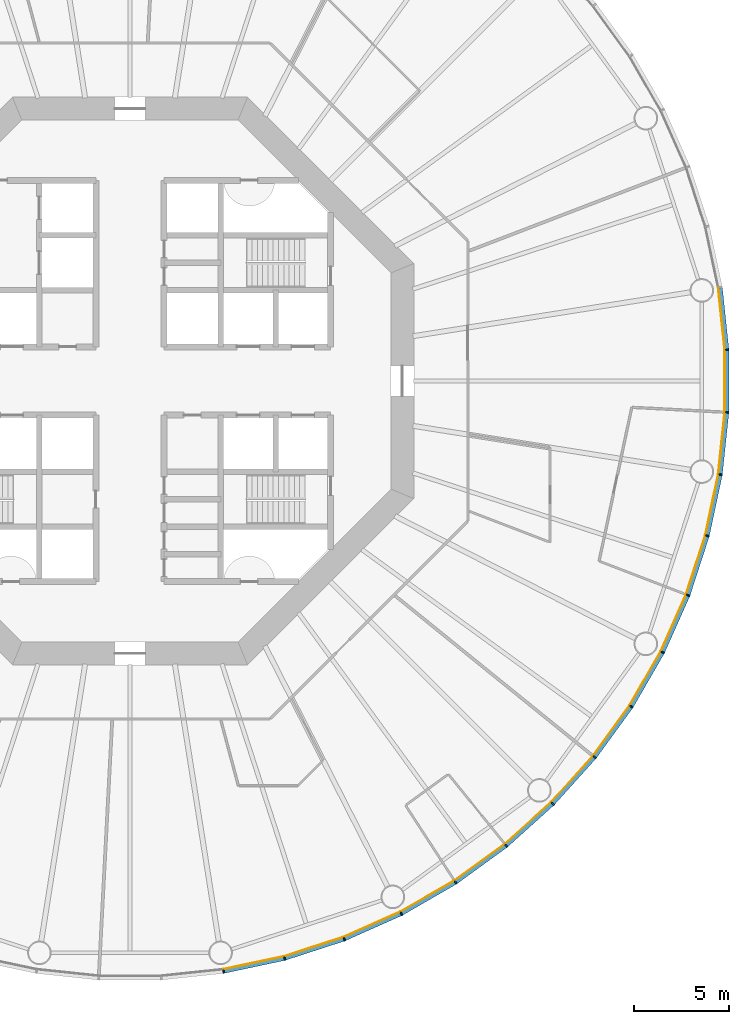
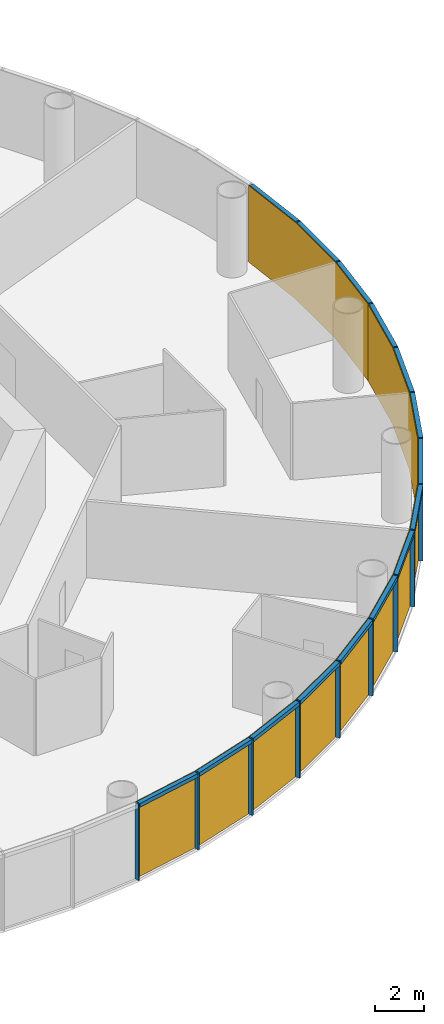
# One storey, part 9 of 13: 30 members, 5 curtain walls.
"""IFC4 building model written with IfcOpenShell, lengths in metres."""

from ifc_helpers import new_model, si_unit, direction, frame, origin, origin_2d, place, context, subcontext, project, spatial, polyline, rectangle, outline, extrude, material, layer, layer_set, material_profile, profile_set, type_object, element, aggregate, save


model = new_model("IFC4")

# Units and contexts
model_context = context("Model", 3, precision=1e-05, world=origin(), true_north=direction((0.0, 1.0)))
body_context = subcontext(model_context, "Body", "Model", "MODEL_VIEW")
ifc_project = project(units=[si_unit("LENGTHUNIT", "METRE"), si_unit("AREAUNIT", "SQUARE_METRE"), si_unit("VOLUMEUNIT", "CUBIC_METRE"), si_unit("PLANEANGLEUNIT", "RADIAN"), si_unit("MASSUNIT", "GRAM", prefix="KILO")], contexts=[model_context])

# Member
ifc_material_1 = material(Name="Anodised aluminium", Category="aluminium")
ifc_material_profile_1 = material_profile(ifc_material_1, rectangle(XDim=0.070068359375, YDim=0.199951171875, at=origin_2d()), Name="Mullion 70 x 200 mm anodised aluminium")
ifc_profile_set_1 = profile_set([ifc_material_profile_1], Name="Anodised aluminium")
member_type_1 = type_object("IfcMemberType", Name="Mullion 70 x 200 mm anodised aluminium", PredefinedType="MULLION", material=ifc_profile_set_1)
site_placement = place(None, origin())
building_placement = place(site_placement, origin())
storey_placement = place(building_placement, frame((0.0, 0.0, 84.0)))
member_1_placement = place(storey_placement, frame((94.943359375, 48.7890625, 0.0), z_axis=(0.0, 0.0, 1.0), x_axis=(0.987688340595, 0.15643446504, 0.0)))
member_1 = element("IfcMember", 1, at=member_1_placement, type_object=member_type_1, Name="MULLION L18-45", PredefinedType="MULLION", context=body_context, shape_type="SweptSolid", body=[
    extrude(rectangle(XDim=0.070068359375, YDim=0.199951171875, at=origin_2d()), origin(), (0.0, 0.0, 1.0), 3.85009765625),
])

member_2_placement = place(storey_placement, frame((98.1787109375, 49.476806640625, 0.0), z_axis=(0.0, 0.0, 1.0), x_axis=(0.965925826289, 0.258819045103, 0.0)))
member_2 = element("IfcMember", 2, at=member_2_placement, type_object=member_type_1, Name="MULLION L18-46", PredefinedType="MULLION", context=body_context, shape_type="SweptSolid", body=[
    extrude(rectangle(XDim=0.070068359375, YDim=0.199951171875, at=origin_2d()), origin(), (0.0, 0.0, 1.0), 3.85009765625),
])

member_3_placement = place(storey_placement, frame((101.324462890625, 50.498779296875, 0.0), z_axis=(0.0, 0.0, 1.0), x_axis=(0.933580426497, 0.358367949545, 0.0)))
member_3 = element("IfcMember", 3, at=member_3_placement, type_object=member_type_1, Name="MULLION L18-47", PredefinedType="MULLION", context=body_context, shape_type="SweptSolid", body=[
    extrude(rectangle(XDim=0.070068359375, YDim=0.199951171875, at=origin_2d()), origin(), (0.0, 0.0, 1.0), 3.85009765625),
])

member_4_placement = place(storey_placement, frame((104.34619140625, 51.84423828125, 0.0), z_axis=(0.0, 0.0, 1.0), x_axis=(0.891006524188, 0.45399049974, 0.0)))
member_4 = element("IfcMember", 4, at=member_4_placement, type_object=member_type_1, Name="MULLION L18-48", PredefinedType="MULLION", context=body_context, shape_type="SweptSolid", body=[
    extrude(rectangle(XDim=0.070068359375, YDim=0.199951171875, at=origin_2d()), origin(), (0.0, 0.0, 1.0), 3.85009765625),
])

member_5_placement = place(storey_placement, frame((107.210693359375, 53.498046875, 0.0), z_axis=(0.0, 0.0, 1.0), x_axis=(0.838670567945, 0.544639035015, 0.0)))
member_5 = element("IfcMember", 5, at=member_5_placement, type_object=member_type_1, Name="MULLION L18-49", PredefinedType="MULLION", context=body_context, shape_type="SweptSolid", body=[
    extrude(rectangle(XDim=0.070068359375, YDim=0.199951171875, at=origin_2d()), origin(), (0.0, 0.0, 1.0), 3.85009765625),
])

member_6_placement = place(storey_placement, frame((109.886474609375, 55.442138671875, 0.0), z_axis=(0.0, 0.0, 1.0), x_axis=(0.777145961457, 0.62932039105, 0.0)))
member_6 = element("IfcMember", 6, at=member_6_placement, type_object=member_type_1, Name="MULLION L18-50", PredefinedType="MULLION", context=body_context, shape_type="SweptSolid", body=[
    extrude(rectangle(XDim=0.070068359375, YDim=0.199951171875, at=origin_2d()), origin(), (0.0, 0.0, 1.0), 3.85009765625),
])

member_7_placement = place(storey_placement, frame((112.344482421875, 57.655517578125, 0.0), z_axis=(0.0, 0.0, 1.0), x_axis=(0.707106781187, 0.707106781187, 0.0)))
member_7 = element("IfcMember", 7, at=member_7_placement, type_object=member_type_1, Name="MULLION L18-51", PredefinedType="MULLION", context=body_context, shape_type="SweptSolid", body=[
    extrude(rectangle(XDim=0.070068359375, YDim=0.199951171875, at=origin_2d()), origin(), (0.0, 0.0, 1.0), 3.85009765625),
])

member_8_placement = place(storey_placement, frame((114.557861328125, 60.113525390625, 0.0), z_axis=(0.0, 0.0, 1.0), x_axis=(0.62932039105, 0.777145961457, 0.0)))
member_8 = element("IfcMember", 8, at=member_8_placement, type_object=member_type_1, Name="MULLION L18-52", PredefinedType="MULLION", context=body_context, shape_type="SweptSolid", body=[
    extrude(rectangle(XDim=0.070068359375, YDim=0.199951171875, at=origin_2d()), origin(), (0.0, 0.0, 1.0), 3.85009765625),
])

member_9_placement = place(storey_placement, frame((116.501953125, 62.789306640625, 0.0), z_axis=(0.0, 0.0, 1.0), x_axis=(0.544639035015, 0.838670567945, 0.0)))
member_9 = element("IfcMember", 9, at=member_9_placement, type_object=member_type_1, Name="MULLION L18-53", PredefinedType="MULLION", context=body_context, shape_type="SweptSolid", body=[
    extrude(rectangle(XDim=0.070068359375, YDim=0.199951171875, at=origin_2d()), origin(), (0.0, 0.0, 1.0), 3.85009765625),
])

member_10_placement = place(storey_placement, frame((118.15576171875, 65.65380859375, 0.0), z_axis=(0.0, 0.0, 1.0), x_axis=(0.45399049974, 0.891006524188, 0.0)))
member_10 = element("IfcMember", 10, at=member_10_placement, type_object=member_type_1, Name="MULLION L18-54", PredefinedType="MULLION", context=body_context, shape_type="SweptSolid", body=[
    extrude(rectangle(XDim=0.070068359375, YDim=0.199951171875, at=origin_2d()), origin(), (0.0, 0.0, 1.0), 3.85009765625),
])

member_11_placement = place(storey_placement, frame((119.501220703125, 68.675537109375, 0.0), z_axis=(0.0, 0.0, 1.0), x_axis=(0.358367949545, 0.933580426497, 0.0)))
member_11 = element("IfcMember", 11, at=member_11_placement, type_object=member_type_1, Name="MULLION L18-55", PredefinedType="MULLION", context=body_context, shape_type="SweptSolid", body=[
    extrude(rectangle(XDim=0.070068359375, YDim=0.199951171875, at=origin_2d()), origin(), (0.0, 0.0, 1.0), 3.85009765625),
])

member_12_placement = place(storey_placement, frame((120.523193359375, 71.8212890625, 0.0), z_axis=(0.0, 0.0, 1.0), x_axis=(0.258819045103, 0.965925826289, 0.0)))
member_12 = element("IfcMember", 12, at=member_12_placement, type_object=member_type_1, Name="MULLION L18-56", PredefinedType="MULLION", context=body_context, shape_type="SweptSolid", body=[
    extrude(rectangle(XDim=0.070068359375, YDim=0.199951171875, at=origin_2d()), origin(), (0.0, 0.0, 1.0), 3.85009765625),
])

member_13_placement = place(storey_placement, frame((121.2109375, 75.056640625, 0.0), z_axis=(0.0, 0.0, 1.0), x_axis=(0.15643446504, 0.987688340595, 0.0)))
member_13 = element("IfcMember", 13, at=member_13_placement, type_object=member_type_1, Name="MULLION L18-57", PredefinedType="MULLION", context=body_context, shape_type="SweptSolid", body=[
    extrude(rectangle(XDim=0.070068359375, YDim=0.199951171875, at=origin_2d()), origin(), (0.0, 0.0, 1.0), 3.85009765625),
])

member_14_placement = place(storey_placement, frame((121.556640625, 78.34619140625, 0.0), z_axis=(0.0, 0.0, 1.0), x_axis=(0.052335956243, 0.998629534755, 0.0)))
member_14 = element("IfcMember", 14, at=member_14_placement, type_object=member_type_1, Name="MULLION L18-58", PredefinedType="MULLION", context=body_context, shape_type="SweptSolid", body=[
    extrude(rectangle(XDim=0.070068359375, YDim=0.199951171875, at=origin_2d()), origin(), (0.0, 0.0, 1.0), 3.85009765625),
])

member_15_placement = place(storey_placement, frame((121.556640625, 81.65380859375, 0.0), z_axis=(0.0, 0.0, 1.0), x_axis=(-0.052335956243, 0.998629534755, 0.0)))
member_15 = element("IfcMember", 15, at=member_15_placement, type_object=member_type_1, Name="MULLION L18-59", PredefinedType="MULLION", context=body_context, shape_type="SweptSolid", body=[
    extrude(rectangle(XDim=0.070068359375, YDim=0.199951171875, at=origin_2d()), origin(), (0.0, 0.0, 1.0), 3.85009765625),
])

ifc_material_2 = material(Name="Anodised aluminium", Category="aluminium")
ifc_material_profile_2 = material_profile(ifc_material_2, rectangle(XDim=0.199951171875, YDim=0.18994140625, at=origin_2d()), Name="Transom 190 x 200 mm anodised aluminium")
ifc_profile_set_2 = profile_set([ifc_material_profile_2], Name="Anodised aluminium")
member_type_2 = type_object("IfcMemberType", Name="Transom 190 x 200 mm anodised aluminium", PredefinedType="USERDEFINED", material=ifc_profile_set_2)
member_16_placement = place(storey_placement, frame((94.982666015625, 48.79736328125, 3.7548828125), z_axis=(0.978153082647, 0.207885898771, 0.0), x_axis=(-0.207885898771, 0.978153082647, 0.0)))
member_16 = element("IfcMember", 16, at=member_16_placement, type_object=member_type_2, Name="TRANSOM L18-45", ObjectType="TRANSOM", PredefinedType="USERDEFINED", context=body_context, shape_type="SweptSolid", body=[
    extrude(rectangle(XDim=0.199951171875, YDim=0.18994140625, at=origin_2d()), origin(), (0.0, 0.0, 1.0), 3.227294921875),
])

member_17_placement = place(storey_placement, frame((98.217041015625, 49.489013671875, 3.7548828125), z_axis=(0.951046855117, 0.309046726844, 0.0), x_axis=(-0.309046726844, 0.951046855117, 0.0)))
member_17 = element("IfcMember", 17, at=member_17_placement, type_object=member_type_2, Name="TRANSOM L18-46", ObjectType="TRANSOM", PredefinedType="USERDEFINED", context=body_context, shape_type="SweptSolid", body=[
    extrude(rectangle(XDim=0.199951171875, YDim=0.18994140625, at=origin_2d()), origin(), (0.0, 0.0, 1.0), 3.22705078125),
])

member_18_placement = place(storey_placement, frame((101.361328125, 50.51513671875, 3.7548828125), z_axis=(0.913549291349, 0.406728032322, 0.0), x_axis=(-0.406728032322, 0.913549291349, 0.0)))
member_18 = element("IfcMember", 18, at=member_18_placement, type_object=member_type_2, Name="TRANSOM L18-47", ObjectType="TRANSOM", PredefinedType="USERDEFINED", context=body_context, shape_type="SweptSolid", body=[
    extrude(rectangle(XDim=0.199951171875, YDim=0.18994140625, at=origin_2d()), origin(), (0.0, 0.0, 1.0), 3.22705078125),
])

member_19_placement = place(storey_placement, frame((104.381103515625, 51.8642578125, 3.7548828125), z_axis=(0.866023062494, 0.500004055213, 0.0), x_axis=(-0.500004055213, 0.866023062494, 0.0)))
member_19 = element("IfcMember", 19, at=member_19_placement, type_object=member_type_2, Name="TRANSOM L18-48", ObjectType="TRANSOM", PredefinedType="USERDEFINED", context=body_context, shape_type="SweptSolid", body=[
    extrude(rectangle(XDim=0.199951171875, YDim=0.18994140625, at=origin_2d()), origin(), (0.0, 0.0, 1.0), 3.22705078125),
])

member_20_placement = place(storey_placement, frame((107.2431640625, 53.521484375, 3.7548828125), z_axis=(0.809004252048, 0.587802790201, 0.0), x_axis=(-0.587802790201, 0.809004252048, 0.0)))
member_20 = element("IfcMember", 20, at=member_20_placement, type_object=member_type_2, Name="TRANSOM L18-49", ObjectType="TRANSOM", PredefinedType="USERDEFINED", context=body_context, shape_type="SweptSolid", body=[
    extrude(rectangle(XDim=0.199951171875, YDim=0.18994140625, at=origin_2d()), origin(), (0.0, 0.0, 1.0), 3.227294921875),
])

member_21_placement = place(storey_placement, frame((109.91650390625, 55.468994140625, 3.7548828125), z_axis=(0.743132370743, 0.669144438484, 0.0), x_axis=(-0.669144438484, 0.743132370743, 0.0)))
member_21 = element("IfcMember", 21, at=member_21_placement, type_object=member_type_2, Name="TRANSOM L18-50", ObjectType="TRANSOM", PredefinedType="USERDEFINED", context=body_context, shape_type="SweptSolid", body=[
    extrude(rectangle(XDim=0.199951171875, YDim=0.18994140625, at=origin_2d()), origin(), (0.0, 0.0, 1.0), 3.22705078125),
])

member_22_placement = place(storey_placement, frame((112.37158203125, 57.685302734375, 3.7548828125), z_axis=(0.669144438484, 0.743132370743, 0.0), x_axis=(-0.743132370743, 0.669144438484, 0.0)))
member_22 = element("IfcMember", 22, at=member_22_placement, type_object=member_type_2, Name="TRANSOM L18-51", ObjectType="TRANSOM", PredefinedType="USERDEFINED", context=body_context, shape_type="SweptSolid", body=[
    extrude(rectangle(XDim=0.199951171875, YDim=0.18994140625, at=origin_2d()), origin(), (0.0, 0.0, 1.0), 3.22705078125),
])

member_23_placement = place(storey_placement, frame((114.58154296875, 60.14599609375, 3.7548828125), z_axis=(0.587802790201, 0.809004252048, 0.0), x_axis=(-0.809004252048, 0.587802790201, 0.0)))
member_23 = element("IfcMember", 23, at=member_23_placement, type_object=member_type_2, Name="TRANSOM L18-52", ObjectType="TRANSOM", PredefinedType="USERDEFINED", context=body_context, shape_type="SweptSolid", body=[
    extrude(rectangle(XDim=0.199951171875, YDim=0.18994140625, at=origin_2d()), origin(), (0.0, 0.0, 1.0), 3.227294921875),
])

member_24_placement = place(storey_placement, frame((116.522216796875, 62.82421875, 3.7548828125), z_axis=(0.500004055213, 0.866023062494, 0.0), x_axis=(-0.866023062494, 0.500004055213, 0.0)))
member_24 = element("IfcMember", 24, at=member_24_placement, type_object=member_type_2, Name="TRANSOM L18-53", ObjectType="TRANSOM", PredefinedType="USERDEFINED", context=body_context, shape_type="SweptSolid", body=[
    extrude(rectangle(XDim=0.199951171875, YDim=0.18994140625, at=origin_2d()), origin(), (0.0, 0.0, 1.0), 3.22705078125),
])

member_25_placement = place(storey_placement, frame((118.17236328125, 65.690673828125, 3.7548828125), z_axis=(0.406728032322, 0.913549291349, 0.0), x_axis=(-0.913549291349, 0.406728032322, 0.0)))
member_25 = element("IfcMember", 25, at=member_25_placement, type_object=member_type_2, Name="TRANSOM L18-54", ObjectType="TRANSOM", PredefinedType="USERDEFINED", context=body_context, shape_type="SweptSolid", body=[
    extrude(rectangle(XDim=0.199951171875, YDim=0.18994140625, at=origin_2d()), origin(), (0.0, 0.0, 1.0), 3.22705078125),
])

member_26_placement = place(storey_placement, frame((119.513671875, 68.7138671875, 3.7548828125), z_axis=(0.309046726844, 0.951046855117, 0.0), x_axis=(-0.951046855117, 0.309046726844, 0.0)))
member_26 = element("IfcMember", 26, at=member_26_placement, type_object=member_type_2, Name="TRANSOM L18-55", ObjectType="TRANSOM", PredefinedType="USERDEFINED", context=body_context, shape_type="SweptSolid", body=[
    extrude(rectangle(XDim=0.199951171875, YDim=0.18994140625, at=origin_2d()), origin(), (0.0, 0.0, 1.0), 3.22705078125),
])

member_27_placement = place(storey_placement, frame((120.53173828125, 71.860595703125, 3.7548828125), z_axis=(0.207885898771, 0.978153082647, 0.0), x_axis=(-0.978153082647, 0.207885898771, 0.0)))
member_27 = element("IfcMember", 27, at=member_27_placement, type_object=member_type_2, Name="TRANSOM L18-56", ObjectType="TRANSOM", PredefinedType="USERDEFINED", context=body_context, shape_type="SweptSolid", body=[
    extrude(rectangle(XDim=0.199951171875, YDim=0.18994140625, at=origin_2d()), origin(), (0.0, 0.0, 1.0), 3.227294921875),
])

member_28_placement = place(storey_placement, frame((121.21533203125, 75.0966796875, 3.7548828125), z_axis=(0.104550890115, 0.994519537956, 0.0), x_axis=(-0.994519537956, 0.104550890115, 0.0)))
member_28 = element("IfcMember", 28, at=member_28_placement, type_object=member_type_2, Name="TRANSOM L18-57", ObjectType="TRANSOM", PredefinedType="USERDEFINED", context=body_context, shape_type="SweptSolid", body=[
    extrude(rectangle(XDim=0.199951171875, YDim=0.18994140625, at=origin_2d()), origin(), (0.0, 0.0, 1.0), 3.22705078125),
])

member_29_placement = place(storey_placement, frame((121.556884765625, 78.386474609375, 3.7548828125), z_axis=(0.0, 1.0, 0.0), x_axis=(-1.0, 0.0, 0.0)))
member_29 = element("IfcMember", 29, at=member_29_placement, type_object=member_type_2, Name="TRANSOM L18-58", ObjectType="TRANSOM", PredefinedType="USERDEFINED", context=body_context, shape_type="SweptSolid", body=[
    extrude(rectangle(XDim=0.199951171875, YDim=0.18994140625, at=origin_2d()), origin(), (0.0, 0.0, 1.0), 3.22705078125),
])

member_30_placement = place(storey_placement, frame((121.552734375, 81.69384765625, 3.7548828125), z_axis=(-0.104550890115, 0.994519537956, 0.0), x_axis=(-0.994519537956, -0.104550890115, 0.0)))
member_30 = element("IfcMember", 30, at=member_30_placement, type_object=member_type_2, Name="TRANSOM L18-59", ObjectType="TRANSOM", PredefinedType="USERDEFINED", context=body_context, shape_type="SweptSolid", body=[
    extrude(rectangle(XDim=0.199951171875, YDim=0.18994140625, at=origin_2d()), origin(), (0.0, 0.0, 1.0), 3.22705078125),
])

# Site, building, storey
site = spatial("IfcSite", under=ifc_project, at=site_placement, CompositionType="ELEMENT")
building = spatial("IfcBuilding", under=site, at=building_placement, Name="Entoto Ring Tower", CompositionType="ELEMENT")
storey = spatial("IfcBuildingStorey", under=building, at=storey_placement, Name="L18", CompositionType="ELEMENT", Elevation=84.0)

# Curtain wall
ifc_material_3 = material(Name="Clear low-iron glass", Category="glass")
ifc_layer = layer(ifc_material_3, 0.035888671875)
ifc_layer_set = layer_set([ifc_layer], Name="Clear low-iron glass")
curtain_wall_type = type_object("IfcCurtainWallType", Name="Curtain wall system CW2 glazing 36 mm", PredefinedType="NOTDEFINED", material=ifc_layer_set)
curtain_wall_1_placement = place(storey_placement, origin())
curtain_wall_1 = element("IfcCurtainWall", 31, at=curtain_wall_1_placement, inside=storey, type_object=curtain_wall_type, Name="CW2 L18-16", PredefinedType="NOTDEFINED", context=body_context, shape_type="SweptSolid", body=[
    extrude(outline(polyline([(94.927734375, 48.8876953125), (98.15283203125, 49.5732421875), (101.28857421875, 50.59228515625), (104.30078125, 51.933349609375), (104.284423828125, 51.96533203125), (101.275634765625, 50.6259765625), (98.1435546875, 49.608154296875), (94.922119140625, 48.92333984375), (94.927734375, 48.8876953125)])), origin(), (0.0, 0.0, 1.0), 3.85009765625),
])

aggregate(curtain_wall_1, [member_1, member_2, member_3, member_16, member_17, member_18])

curtain_wall_2_placement = place(storey_placement, origin())
curtain_wall_2 = element("IfcCurtainWall", 32, at=curtain_wall_2_placement, inside=storey, type_object=curtain_wall_type, Name="CW2 L18-17", PredefinedType="NOTDEFINED", context=body_context, shape_type="SweptSolid", body=[
    extrude(outline(polyline([(104.30078125, 51.933349609375), (107.15625, 53.581787109375), (109.823486328125, 55.52001953125), (112.27392578125, 57.72607421875), (112.248291015625, 57.751708984375), (109.801025390625, 55.5478515625), (107.136474609375, 53.612060546875), (104.284423828125, 51.96533203125), (104.30078125, 51.933349609375)])), origin(), (0.0, 0.0, 1.0), 3.85009765625),
])

aggregate(curtain_wall_2, [member_4, member_5, member_6, member_19, member_20, member_21])

curtain_wall_3_placement = place(storey_placement, origin())
curtain_wall_3 = element("IfcCurtainWall", 33, at=curtain_wall_3_placement, inside=storey, type_object=curtain_wall_type, Name="CW2 L18-18", PredefinedType="NOTDEFINED", context=body_context, shape_type="SweptSolid", body=[
    extrude(outline(polyline([(112.27392578125, 57.72607421875), (114.47998046875, 60.176513671875), (116.418212890625, 62.84375), (118.066650390625, 65.69921875), (118.03466796875, 65.715576171875), (116.387939453125, 62.863525390625), (114.4521484375, 60.198974609375), (112.248291015625, 57.751708984375), (112.27392578125, 57.72607421875)])), origin(), (0.0, 0.0, 1.0), 3.85009765625),
])

aggregate(curtain_wall_3, [member_7, member_8, member_9, member_22, member_23, member_24])

curtain_wall_4_placement = place(storey_placement, origin())
curtain_wall_4 = element("IfcCurtainWall", 34, at=curtain_wall_4_placement, inside=storey, type_object=curtain_wall_type, Name="CW2 L18-19", PredefinedType="NOTDEFINED", context=body_context, shape_type="SweptSolid", body=[
    extrude(outline(polyline([(118.066650390625, 65.69921875), (119.40771484375, 68.71142578125), (120.4267578125, 71.84716796875), (121.1123046875, 75.072265625), (121.07666015625, 75.077880859375), (120.391845703125, 71.8564453125), (119.3740234375, 68.724365234375), (118.03466796875, 65.715576171875), (118.066650390625, 65.69921875)])), origin(), (0.0, 0.0, 1.0), 3.85009765625),
])

aggregate(curtain_wall_4, [member_10, member_11, member_12, member_25, member_26, member_27])

curtain_wall_5_placement = place(storey_placement, origin())
curtain_wall_5 = element("IfcCurtainWall", 35, at=curtain_wall_5_placement, inside=storey, type_object=curtain_wall_type, Name="CW2 L18-20", PredefinedType="NOTDEFINED", context=body_context, shape_type="SweptSolid", body=[
    extrude(outline(polyline([(121.1123046875, 75.072265625), (121.456787109375, 78.351318359375), (121.456787109375, 81.648681640625), (121.1123046875, 84.927734375), (121.07666015625, 84.922119140625), (121.4208984375, 81.646728515625), (121.4208984375, 78.353271484375), (121.07666015625, 75.077880859375), (121.1123046875, 75.072265625)])), origin(), (0.0, 0.0, 1.0), 3.85009765625),
])

aggregate(curtain_wall_5, [member_13, member_14, member_15, member_28, member_29, member_30])

save(model, "model.ifc")
